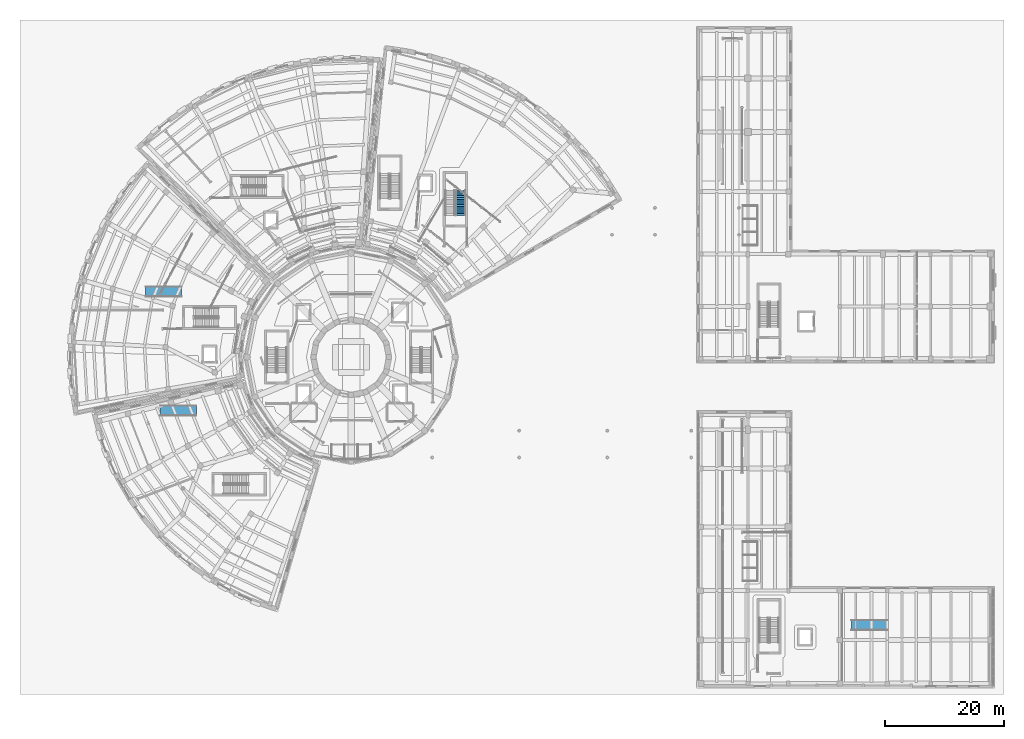
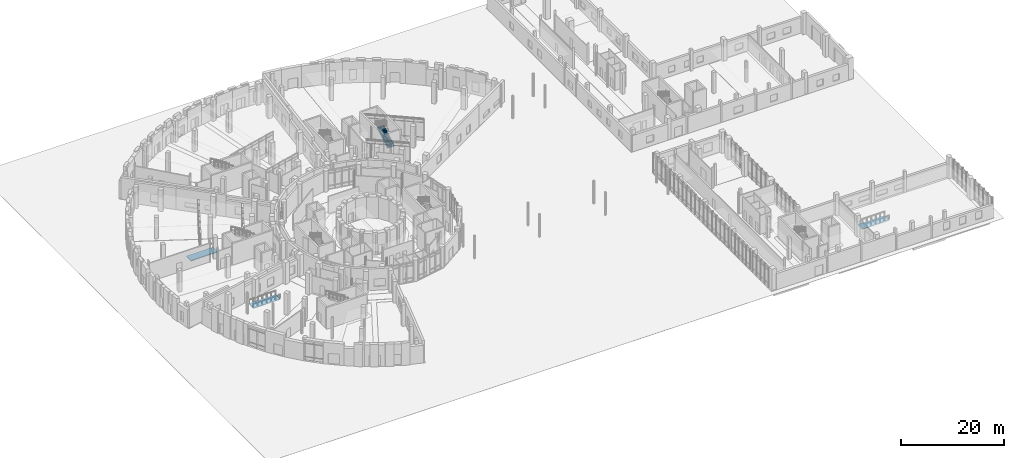
# One storey, part 56 of 74: 3 ramp flights, 1 stair flight, 4 elements without a shape of their own.
"""IFC4 building model written with IfcOpenShell, lengths in metres."""

from ifc_helpers import new_model, si_unit, direction, frame, origin, place, context, subcontext, project, spatial, polyline, outline, extrude, material, type_object, element, aggregate, save


model = new_model("IFC4")

# Units and contexts
model_context = context("Model", 3, precision=1e-05, world=origin(), true_north=direction((0.0, 1.0)))
body_context = subcontext(model_context, "Body", "Model", "MODEL_VIEW")
ifc_project = project(units=[si_unit("LENGTHUNIT", "METRE"), si_unit("AREAUNIT", "SQUARE_METRE"), si_unit("VOLUMEUNIT", "CUBIC_METRE"), si_unit("PLANEANGLEUNIT", "RADIAN"), si_unit("MASSUNIT", "GRAM", prefix="KILO")], contexts=[model_context])

# Site, building, storey
site_placement = place(None, origin())
site = spatial("IfcSite", under=ifc_project, at=site_placement, CompositionType="ELEMENT")
building_placement = place(site_placement, origin())
building = spatial("IfcBuilding", under=site, at=building_placement, Name="Soyqirgoq Riverine Aquarium", CompositionType="ELEMENT")
storey_placement = place(building_placement, origin())
storey = spatial("IfcBuildingStorey", under=building, at=storey_placement, Name="L01", CompositionType="ELEMENT", Elevation=0.0)

# Stair, stair flight
ifc_material_1 = material(Name="Concrete C35/45", Category="concrete")
stair_type = type_object("IfcStairType", Name="CoreDoglegStair_RC", PredefinedType="HALF_TURN_STAIR", material=ifc_material_1)
stair_placement = place(storey_placement, origin())
stair = element("IfcStair", 1, at=stair_placement, inside=storey, type_object=stair_type, Name="L01 Enclosed Exit Stair ST-6", PredefinedType="HALF_TURN_STAIR")
ifc_material_2 = material(Name="Concrete C35/45", Category="concrete")
stair_flight_type = type_object("IfcStairFlightType", Name="CoreStairFlight_RC", PredefinedType="STRAIGHT", material=ifc_material_2)
stair_flight_placement = place(storey_placement, frame((74.39990234375, 80.800048828125, 0.0), z_axis=(0.0, 0.0, 1.0), x_axis=(0.0, 1.0, 0.0)))
stair_flight = element("IfcStairFlight", 2, at=stair_flight_placement, type_object=stair_flight_type, Name="ST-6 flight 1", NumberOfRisers=15, NumberOfTreads=14, PredefinedType="STRAIGHT", RiserHeight=0.18, TreadLength=0.3, context=body_context, shape_type="SweptSolid", body=[
    extrude(outline(polyline([(0.0, 0.0), (0.0, 0.179931640625), (0.300048828125, 0.179931640625), (0.300048828125, 0.360107421875), (0.60009765625, 0.360107421875), (0.60009765625, 0.5400390625), (0.89990234375, 0.5400390625), (0.89990234375, 0.719970703125), (1.199951171875, 0.719970703125), (1.199951171875, 0.89990234375), (1.5, 0.89990234375), (1.5, 1.080078125), (1.800048828125, 1.080078125), (1.800048828125, 1.260009765625), (2.10009765625, 1.260009765625), (2.10009765625, 1.43994140625), (2.39990234375, 1.43994140625), (2.39990234375, 1.6201171875), (2.699951171875, 1.6201171875), (2.699951171875, 1.800048828125), (3.0, 1.800048828125), (3.0, 1.97998046875), (3.300048828125, 1.97998046875), (3.300048828125, 2.159912109375), (3.60009765625, 2.159912109375), (3.60009765625, 2.340087890625), (3.89990234375, 2.340087890625), (3.89990234375, 2.52001953125), (4.199951171875, 2.52001953125), (4.199951171875, 2.699951171875), (4.199951171875, 2.34521484375), (0.291259765625, 0.0), (0.0, 0.0)])), frame((0.0, 0.800048828125, 0.0), z_axis=(0.0, -1.0, 0.0), x_axis=(1.0, 0.0, 0.0)), (0.0, 0.0, 1.0), 1.60009765625),
])
aggregate(stair, [stair_flight])

# Ramp, ramp flight
ramp_1_placement = place(storey_placement, origin())
ramp_1 = element("IfcRamp", 3, at=ramp_1_placement, inside=storey, Name="SW Entrance Step-Free Approach Ramp", PredefinedType="STRAIGHT_RUN_RAMP")
ramp_flight_1_placement = place(storey_placement, frame((24.0, 47.10009765625, -0.06005859375), z_axis=(-0.010009264196, 0.0, 0.99994990606), x_axis=(0.99994990606, 0.0, 0.010009264196)))
ramp_flight_1 = element("IfcRampFlight", 4, at=ramp_flight_1_placement, Name="SW Entrance Step-Free Approach Ramp Flight", PredefinedType="STRAIGHT", context=body_context, shape_type="SweptSolid", body=[
    extrude(outline(polyline([(0.0, 0.0), (6.00030057869464, 0.0), (6.00030057869464, 1.7998046875), (0.0, 1.7998046875), (0.0, 0.0)])), origin(), (0.0, 0.0, -1.0), 0.179931640625),
])
aggregate(ramp_1, [ramp_flight_1])

ramp_2_placement = place(storey_placement, origin())
ramp_2 = element("IfcRamp", 5, at=ramp_2_placement, inside=storey, Name="Delta Gallery Step-Free Transition Ramp", PredefinedType="STRAIGHT_RUN_RAMP")
ramp_flight_2_placement = place(storey_placement, frame((21.5, 67.10009765625, -0.06005859375), z_axis=(-0.010009264196, 0.0, 0.99994990606), x_axis=(0.99994990606, 0.0, 0.010009264196)))
ramp_flight_2 = element("IfcRampFlight", 6, at=ramp_flight_2_placement, Name="Delta Gallery Step-Free Transition Ramp Flight", PredefinedType="STRAIGHT", context=body_context, shape_type="SweptSolid", body=[
    extrude(outline(polyline([(0.0, 0.0), (6.00030057869464, 0.0), (6.00030057869464, 1.7998046875), (0.0, 1.7998046875), (0.0, 0.0)])), origin(), (0.0, 0.0, -1.0), 0.179931640625),
])
aggregate(ramp_2, [ramp_flight_2])

ramp_3_placement = place(storey_placement, origin())
ramp_3 = element("IfcRamp", 7, at=ramp_3_placement, inside=storey, Name="Auditorium Foyer Step-Free Ramp", PredefinedType="STRAIGHT_RUN_RAMP")
ramp_flight_3_placement = place(storey_placement, frame((140.0, 11.10009765625, -0.06005859375), z_axis=(-0.010009264196, 0.0, 0.99994990606), x_axis=(0.99994990606, 0.0, 0.010009264196)))
ramp_flight_3 = element("IfcRampFlight", 8, at=ramp_flight_3_placement, Name="Auditorium Foyer Step-Free Ramp Flight", PredefinedType="STRAIGHT", context=body_context, shape_type="SweptSolid", body=[
    extrude(outline(polyline([(0.0, 0.0), (6.00030057869464, 0.0), (6.00030057869464, 1.7998046875), (0.0, 1.7998046875), (0.0, 0.0)])), origin(), (0.0, 0.0, -1.0), 0.179931640625),
])
aggregate(ramp_3, [ramp_flight_3])

save(model, "model.ifc")
